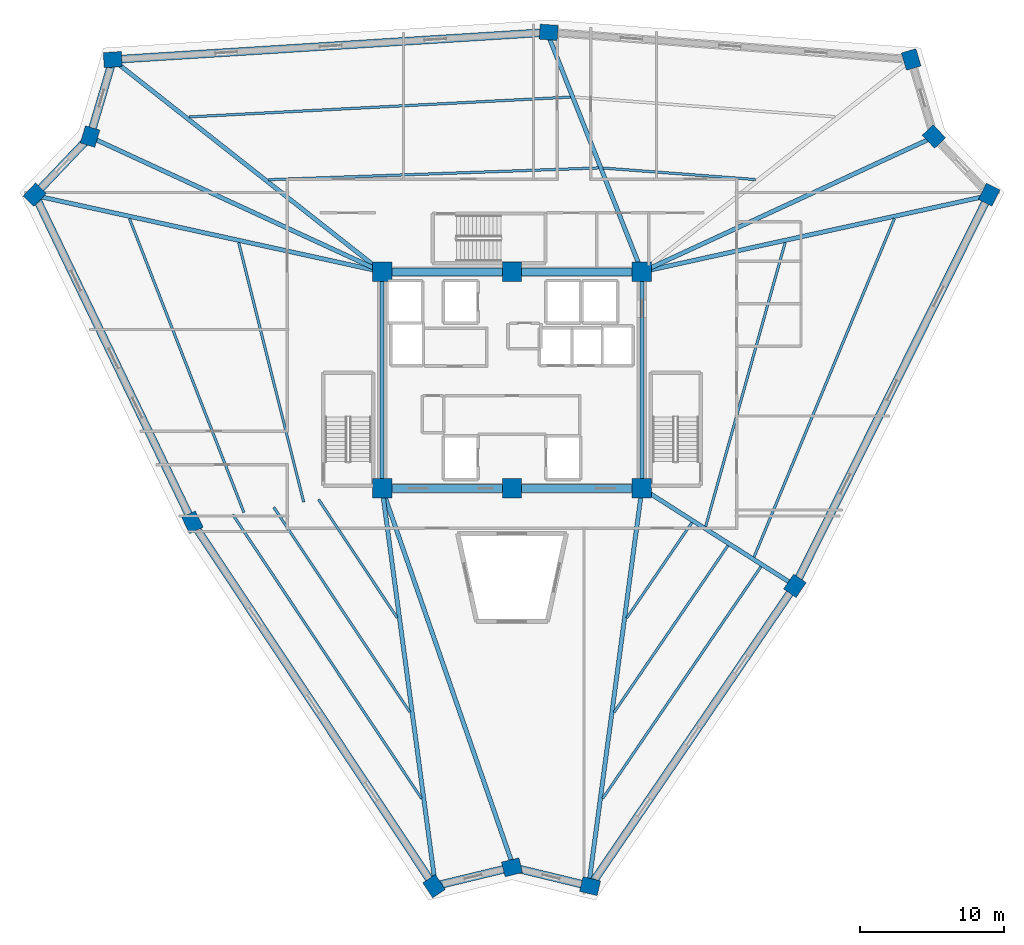
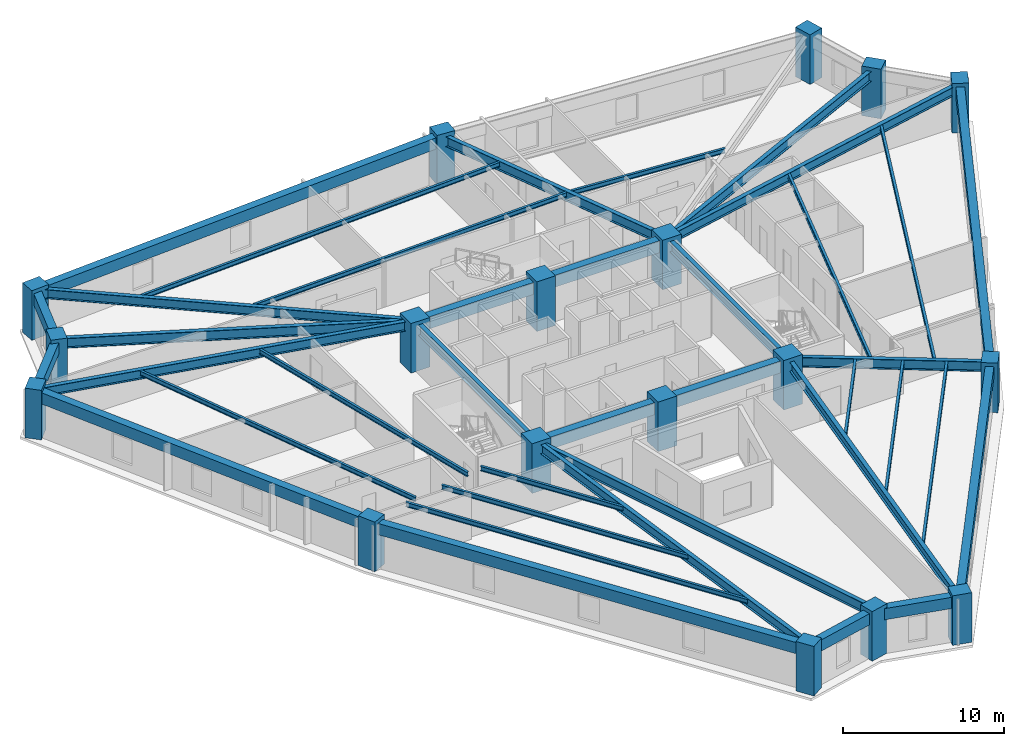
# One storey, part 1 of 9: 38 beams, 18 columns.
"""IFC4 building model written with IfcOpenShell, lengths in metres."""

from ifc_helpers import new_model, si_unit, direction, frame, origin, origin_2d, place, context, subcontext, project, spatial, rectangle, i_section, extrude, source, transform, mapped, material, material_profile, profile_set, type_object, element, save


model = new_model("IFC4")

# Units and contexts
model_context = context("Model", 3, precision=1e-05, world=origin(), true_north=direction((0.0, 1.0)))
body_context = subcontext(model_context, "Body", "Model", "MODEL_VIEW")
ifc_project = project(units=[si_unit("LENGTHUNIT", "METRE"), si_unit("AREAUNIT", "SQUARE_METRE"), si_unit("VOLUMEUNIT", "CUBIC_METRE"), si_unit("PLANEANGLEUNIT", "RADIAN"), si_unit("MASSUNIT", "GRAM", prefix="KILO")], contexts=[model_context])

# Site, building, storey
site_placement = place(None, origin())
site = spatial("IfcSite", under=ifc_project, at=site_placement, CompositionType="ELEMENT")
building_placement = place(site_placement, origin())
building = spatial("IfcBuilding", under=site, at=building_placement, Name="Liaohun Quay Tower", CompositionType="ELEMENT")
storey_placement = place(building_placement, frame((0.0, 0.0, 228.0)))
storey = spatial("IfcBuildingStorey", under=building, at=storey_placement, Name="L59", CompositionType="ELEMENT", Elevation=228.0)

# Columns
ifc_material_1 = material(Name="Concrete C55", Category="concrete")
ifc_material_profile_1 = material_profile(ifc_material_1, rectangle(XDim=1.35009765625, YDim=1.35009765625, at=origin_2d()), Name="RC1350x1350")
ifc_profile_set_1 = profile_set([ifc_material_profile_1], Name="Concrete C55")
column_type_1 = type_object("IfcColumnType", Name="COL-CC-Z3", PredefinedType="COLUMN", material=ifc_profile_set_1)
shared_shape_1 = source(origin(), body_context, "Body", "SweptSolid", [
    extrude(rectangle(XDim=1.35009765625, YDim=1.35009765625, at=origin_2d()), origin(), (0.0, 0.0, 1.0), 3.75),
])
for number, where, z_axis, x_axis, name in (
    (1, (51.0, 46.5, 0.0), (0.0, 0.0, 1.0), (1.0, 0.0, 0.0), "L59 Core Column CC1"),
    (2, (60.0, 46.5, 0.0), (0.0, 0.0, 1.0), (1.0, 0.0, 0.0), "L59 Core Column CC2"),
    (3, (69.0, 46.5, 0.0), (0.0, 0.0, 1.0), (1.0, 0.0, 0.0), "L59 Core Column CC3"),
    (4, (69.0, 61.5, 0.0), (0.0, 0.0, 1.0), (1.0, 0.0, 0.0), "L59 Core Column CC4"),
    (5, (60.0, 61.5, 0.0), (0.0, 0.0, 1.0), (1.0, 0.0, 0.0), "L59 Core Column CC5"),
    (6, (51.0, 61.5, 0.0), (0.0, 0.0, 1.0), (1.0, 0.0, 0.0), "L59 Core Column CC6"),
):
    element("IfcColumn", number, at=place(storey_placement, frame(where, z_axis=z_axis, x_axis=x_axis)), inside=storey, type_object=column_type_1, Name=name, PredefinedType="COLUMN", context=body_context, shape_type="MappedRepresentation", body=[
        mapped(shared_shape_1, transform((0.0, 0.0, 0.0), x_axis=(1.0, 0.0, 0.0), y_axis=(0.0, 1.0, 0.0), z_axis=(0.0, 0.0, 1.0), scale=1.0)),
    ])
ifc_material_profile_2 = material_profile(ifc_material_1, rectangle(XDim=1.25, YDim=1.050048828125, at=origin_2d()), Name="RC1250x1050")
ifc_profile_set_2 = profile_set([ifc_material_profile_2], Name="Concrete C55")
column_type_2 = type_object("IfcColumnType", Name="COL-PIER-Z3", PredefinedType="COLUMN", material=ifc_profile_set_2)
shared_shape_2 = source(origin(), body_context, "Body", "SweptSolid", [
    extrude(rectangle(XDim=1.25, YDim=1.050048828125, at=origin_2d()), origin(), (0.0, 0.0, 1.0), 3.75),
])
for number, where, z_axis, x_axis, name in (
    (7, (54.60009765625, 18.952880859375, 0.0), (0.0, 0.0, 1.0), (-0.553100771174, 0.833114360053, 0.0), "L59 Perimeter Pier PC01"),
    (8, (37.864990234375, 44.155029296875, 0.0), (0.0, 0.0, 1.0), (-0.43381634559, 0.90100131981, 0.0), "L59 Perimeter Pier PC02"),
    (9, (26.944091796875, 66.841064453125, 0.0), (0.0, 0.0, 1.0), (0.68936671806, 0.724412539946, 0.0), "L59 Perimeter Pier PC03"),
    (10, (30.778076171875, 70.87109375, 0.0), (0.0, 0.0, 1.0), (0.282676303383, 0.959215360337, 0.0), "L59 Perimeter Pier PC04"),
    (11, (32.34912109375, 76.199951171875, 0.0), (0.0, 0.0, 1.0), (0.998048585651, 0.062442138662, 0.0), "L59 Perimeter Pier PC05"),
    (12, (62.5419921875, 78.091064453125, 0.0), (0.0, 0.0, 1.0), (-0.997198204594, 0.074804684047, 0.0), "L59 Perimeter Pier PC06"),
    (13, (87.64892578125, 76.20703125, 0.0), (0.0, 0.0, 1.0), (-0.282676303383, 0.959215360337, 0.0), "L59 Perimeter Pier PC07"),
    (14, (89.221923828125, 70.87109375, 0.0), (0.0, 0.0, 1.0), (-0.68936671806, 0.724412539946, 0.0), "L59 Perimeter Pier PC08"),
    (15, (93.051025390625, 66.845947265625, 0.0), (0.0, 0.0, 1.0), (0.444947814477, 0.895556498716, 0.0), "L59 Perimeter Pier PC09"),
    (16, (79.593017578125, 39.75390625, 0.0), (0.0, 0.0, 1.0), (0.563381859003, 0.826196635763, 0.0), "L59 Perimeter Pier PC10"),
    (17, (65.407958984375, 18.950927734375, 0.0), (0.0, 0.0, 1.0), (-0.972043021443, 0.234802820391, 0.0), "L59 Perimeter Pier PC11"),
    (18, (60.0, 20.257080078125, 0.0), (0.0, 0.0, 1.0), (0.972043021443, 0.234802820391, 0.0), "L59 Perimeter Pier PC12"),
):
    element("IfcColumn", number, at=place(storey_placement, frame(where, z_axis=z_axis, x_axis=x_axis)), inside=storey, type_object=column_type_2, Name=name, PredefinedType="COLUMN", context=body_context, shape_type="MappedRepresentation", body=[
        mapped(shared_shape_2, transform((0.0, 0.0, 0.0), x_axis=(1.0, 0.0, 0.0), y_axis=(0.0, 1.0, 0.0), z_axis=(0.0, 0.0, 1.0), scale=1.0)),
    ])

# Beams
ifc_material_2 = material(Name="Steel Q355D", Category="steel")
ifc_material_profile_3 = material_profile(ifc_material_2, i_section(OverallWidth=0.300048828125, OverallDepth=0.800048828125, WebThickness=0.013916015625, FlangeThickness=0.02587890625, at=origin_2d()), Name="HN800x300x14x26")
ifc_profile_set_3 = profile_set([ifc_material_profile_3], Name="Steel Q355D")
beam_type_1 = type_object("IfcBeamType", Name="BM-RAD-M1", PredefinedType="BEAM", material=ifc_profile_set_3)
shared_shape_3 = source(origin(), body_context, "Body", "SweptSolid", [
    extrude(i_section(OverallWidth=0.300048828125, OverallDepth=0.800048828125, WebThickness=0.013916015625, FlangeThickness=0.02587890625, at=origin_2d()), origin(), (0.0, 0.0, 1.0), 15.0),
])
for number, where, z_axis, x_axis, name in (
    (19, (69.0, 46.5, 3.070068359375), (0.0, 1.0, 0.0), (-1.0, 0.0, 0.0), "L59 Core Coupling/Ring Beam CC3-CC4"),
    (20, (51.0, 61.5, 3.070068359375), (0.0, -1.0, 0.0), (1.0, 0.0, 0.0), "L59 Core Coupling/Ring Beam CC6-CC1"),
):
    element("IfcBeam", number, at=place(storey_placement, frame(where, z_axis=z_axis, x_axis=x_axis)), inside=storey, type_object=beam_type_1, Name=name, PredefinedType="BEAM", context=body_context, shape_type="MappedRepresentation", body=[
        mapped(shared_shape_3, transform((0.0, 0.0, 0.0), x_axis=(1.0, 0.0, 0.0), y_axis=(0.0, 1.0, 0.0), z_axis=(0.0, 0.0, 1.0), scale=1.0)),
    ])
ifc_material_profile_4 = material_profile(ifc_material_1, rectangle(XDim=0.550048828125, YDim=0.89990234375, at=origin_2d()), Name="RC550x900")
ifc_profile_set_4 = profile_set([ifc_material_profile_4], Name="Concrete C55")
beam_type_2 = type_object("IfcBeamType", Name="BM-CPL-2", PredefinedType="LINTEL", material=ifc_profile_set_4)
shared_shape_4 = source(origin(), body_context, "Body", "SweptSolid", [
    extrude(rectangle(XDim=0.550048828125, YDim=0.89990234375, at=origin_2d()), origin(), (0.0, 0.0, 1.0), 9.0),
])
for number, where, z_axis, x_axis, name in (
    (21, (51.0, 46.5, 3.02001953125), (1.0, 0.0, 0.0), (0.0, 1.0, 0.0), "L59 Core Coupling/Ring Beam CC1-CC2"),
    (22, (60.0, 46.5, 3.02001953125), (1.0, 0.0, 0.0), (0.0, 1.0, 0.0), "L59 Core Coupling/Ring Beam CC2-CC3"),
    (23, (69.0, 61.5, 3.02001953125), (-1.0, 0.0, 0.0), (0.0, -1.0, 0.0), "L59 Core Coupling/Ring Beam CC4-CC5"),
    (24, (60.0, 61.5, 3.02001953125), (-1.0, 0.0, 0.0), (0.0, -1.0, 0.0), "L59 Core Coupling/Ring Beam CC5-CC6"),
):
    element("IfcBeam", number, at=place(storey_placement, frame(where, z_axis=z_axis, x_axis=x_axis)), inside=storey, type_object=beam_type_2, Name=name, PredefinedType="LINTEL", context=body_context, shape_type="MappedRepresentation", body=[
        mapped(shared_shape_4, transform((0.0, 0.0, 0.0), x_axis=(1.0, 0.0, 0.0), y_axis=(0.0, 1.0, 0.0), z_axis=(0.0, 0.0, 1.0), scale=1.0)),
    ])
ifc_material_3 = material(Name="Precast concrete C50", Category="concrete")
ifc_material_profile_5 = material_profile(ifc_material_3, rectangle(XDim=0.550048828125, YDim=0.85009765625, at=origin_2d()), Name="RC550x850")
ifc_profile_set_5 = profile_set([ifc_material_profile_5], Name="Precast concrete C50")
beam_type_3 = type_object("IfcBeamType", Name="BM-SPD-Z3", PredefinedType="SPANDREL", material=ifc_profile_set_5)
shared_shape_5 = source(origin(), body_context, "Body", "SweptSolid", [
    extrude(rectangle(XDim=0.550048828125, YDim=0.85009765625, at=origin_2d()), origin(), (0.0, 0.0, 1.0), 30.25244140625),
])
beam_1_placement = place(storey_placement, frame((54.60009765625, 18.952880859375, 3.044921875), z_axis=(-0.553181472839, 0.833060776959, 0.0), x_axis=(-0.833060776959, -0.553181472839, 0.0)))
element("IfcBeam", 25, at=beam_1_placement, inside=storey, type_object=beam_type_3, Name="L59 Precast Spandrel Beam PC01-PC02", PredefinedType="SPANDREL", context=body_context, shape_type="MappedRepresentation", body=[
    mapped(shared_shape_5, transform((0.0, 0.0, 0.0), x_axis=(1.0, 0.0, 0.0), y_axis=(0.0, 1.0, 0.0), z_axis=(0.0, 0.0, 1.0), scale=1.0)),
])
shared_shape_6 = source(origin(), body_context, "Body", "SweptSolid", [
    extrude(rectangle(XDim=0.550048828125, YDim=0.85009765625, at=origin_2d()), origin(), (0.0, 0.0, 1.0), 25.177734375),
])
beam_2_placement = place(storey_placement, frame((37.864990234375, 44.155029296875, 3.044921875), z_axis=(-0.433750894083, 0.901032830635, 0.0), x_axis=(-0.901032830635, -0.433750894083, 0.0)))
element("IfcBeam", 26, at=beam_2_placement, inside=storey, type_object=beam_type_3, Name="L59 Precast Spandrel Beam PC02-PC03", PredefinedType="SPANDREL", context=body_context, shape_type="MappedRepresentation", body=[
    mapped(shared_shape_6, transform((0.0, 0.0, 0.0), x_axis=(1.0, 0.0, 0.0), y_axis=(0.0, 1.0, 0.0), z_axis=(0.0, 0.0, 1.0), scale=1.0)),
])
shared_shape_7 = source(origin(), body_context, "Body", "SweptSolid", [
    extrude(rectangle(XDim=0.550048828125, YDim=0.85009765625, at=origin_2d()), origin(), (0.0, 0.0, 1.0), 5.5625),
])
beam_3_placement = place(storey_placement, frame((26.944091796875, 66.841064453125, 3.044921875), z_axis=(0.689264906527, 0.724509412382, 0.0), x_axis=(-0.724509412382, 0.689264906527, 0.0)))
element("IfcBeam", 27, at=beam_3_placement, inside=storey, type_object=beam_type_3, Name="L59 Precast Spandrel Beam PC03-PC04", PredefinedType="SPANDREL", context=body_context, shape_type="MappedRepresentation", body=[
    mapped(shared_shape_7, transform((0.0, 0.0, 0.0), x_axis=(1.0, 0.0, 0.0), y_axis=(0.0, 1.0, 0.0), z_axis=(0.0, 0.0, 1.0), scale=1.0)),
])
shared_shape_8 = source(origin(), body_context, "Body", "SweptSolid", [
    extrude(rectangle(XDim=0.550048828125, YDim=0.85009765625, at=origin_2d()), origin(), (0.0, 0.0, 1.0), 5.5556640625),
])
beam_4_placement = place(storey_placement, frame((30.778076171875, 70.87109375, 3.044921875), z_axis=(0.282784851513, 0.959183365032, 0.0), x_axis=(-0.959183365032, 0.282784851513, 0.0)))
element("IfcBeam", 28, at=beam_4_placement, inside=storey, type_object=beam_type_3, Name="L59 Precast Spandrel Beam PC04-PC05", PredefinedType="SPANDREL", context=body_context, shape_type="MappedRepresentation", body=[
    mapped(shared_shape_8, transform((0.0, 0.0, 0.0), x_axis=(1.0, 0.0, 0.0), y_axis=(0.0, 1.0, 0.0), z_axis=(0.0, 0.0, 1.0), scale=1.0)),
])
shared_shape_9 = source(origin(), body_context, "Body", "SweptSolid", [
    extrude(rectangle(XDim=0.550048828125, YDim=0.85009765625, at=origin_2d()), origin(), (0.0, 0.0, 1.0), 30.251953125),
])
beam_5_placement = place(storey_placement, frame((32.34912109375, 76.199951171875, 3.044921875), z_axis=(0.998044216699, 0.062511930966, 0.0), x_axis=(-0.062511930966, 0.998044216699, 0.0)))
element("IfcBeam", 29, at=beam_5_placement, inside=storey, type_object=beam_type_3, Name="L59 Precast Spandrel Beam PC05-PC06", PredefinedType="SPANDREL", context=body_context, shape_type="MappedRepresentation", body=[
    mapped(shared_shape_9, transform((0.0, 0.0, 0.0), x_axis=(1.0, 0.0, 0.0), y_axis=(0.0, 1.0, 0.0), z_axis=(0.0, 0.0, 1.0), scale=1.0)),
])
shared_shape_10 = source(origin(), body_context, "Body", "SweptSolid", [
    extrude(rectangle(XDim=0.550048828125, YDim=0.85009765625, at=origin_2d()), origin(), (0.0, 0.0, 1.0), 30.25048828125),
])
beam_6_placement = place(storey_placement, frame((93.051025390625, 66.845947265625, 3.044921875), z_axis=(-0.444884516218, -0.895587945, 0.0), x_axis=(0.895587945, -0.444884516218, 0.0)))
element("IfcBeam", 30, at=beam_6_placement, inside=storey, type_object=beam_type_3, Name="L59 Precast Spandrel Beam PC09-PC10", PredefinedType="SPANDREL", context=body_context, shape_type="MappedRepresentation", body=[
    mapped(shared_shape_10, transform((0.0, 0.0, 0.0), x_axis=(1.0, 0.0, 0.0), y_axis=(0.0, 1.0, 0.0), z_axis=(0.0, 0.0, 1.0), scale=1.0)),
])
shared_shape_11 = source(origin(), body_context, "Body", "SweptSolid", [
    extrude(rectangle(XDim=0.550048828125, YDim=0.85009765625, at=origin_2d()), origin(), (0.0, 0.0, 1.0), 25.178955078125),
])
beam_7_placement = place(storey_placement, frame((79.593017578125, 39.75390625, 3.044921875), z_axis=(-0.56336961902, -0.82620498205, 0.0), x_axis=(0.82620498205, -0.56336961902, 0.0)))
element("IfcBeam", 31, at=beam_7_placement, inside=storey, type_object=beam_type_3, Name="L59 Precast Spandrel Beam PC10-PC11", PredefinedType="SPANDREL", context=body_context, shape_type="MappedRepresentation", body=[
    mapped(shared_shape_11, transform((0.0, 0.0, 0.0), x_axis=(1.0, 0.0, 0.0), y_axis=(0.0, 1.0, 0.0), z_axis=(0.0, 0.0, 1.0), scale=1.0)),
])
shared_shape_12 = source(origin(), body_context, "Body", "SweptSolid", [
    extrude(rectangle(XDim=0.550048828125, YDim=0.85009765625, at=origin_2d()), origin(), (0.0, 0.0, 1.0), 5.5634765625),
])
beam_8_placement = place(storey_placement, frame((65.407958984375, 18.950927734375, 3.044921875), z_axis=(-0.972050100862, 0.234773510885, 0.0), x_axis=(-0.234773510885, -0.972050100862, 0.0)))
element("IfcBeam", 32, at=beam_8_placement, inside=storey, type_object=beam_type_3, Name="L59 Precast Spandrel Beam PC11-PC12", PredefinedType="SPANDREL", context=body_context, shape_type="MappedRepresentation", body=[
    mapped(shared_shape_12, transform((0.0, 0.0, 0.0), x_axis=(1.0, 0.0, 0.0), y_axis=(0.0, 1.0, 0.0), z_axis=(0.0, 0.0, 1.0), scale=1.0)),
])
shared_shape_13 = source(origin(), body_context, "Body", "SweptSolid", [
    extrude(rectangle(XDim=0.550048828125, YDim=0.85009765625, at=origin_2d()), origin(), (0.0, 0.0, 1.0), 5.55517578125),
])
beam_9_placement = place(storey_placement, frame((60.0, 20.257080078125, 3.044921875), z_axis=(-0.972050398791, -0.234772277346, 0.0), x_axis=(0.234772277346, -0.972050398791, 0.0)))
element("IfcBeam", 33, at=beam_9_placement, inside=storey, type_object=beam_type_3, Name="L59 Precast Spandrel Beam PC12-PC01", PredefinedType="SPANDREL", context=body_context, shape_type="MappedRepresentation", body=[
    mapped(shared_shape_13, transform((0.0, 0.0, 0.0), x_axis=(1.0, 0.0, 0.0), y_axis=(0.0, 1.0, 0.0), z_axis=(0.0, 0.0, 1.0), scale=1.0)),
])
ifc_material_profile_6 = material_profile(ifc_material_2, i_section(OverallWidth=0.300048828125, OverallDepth=0.699951171875, WebThickness=0.012939453125, FlangeThickness=0.02392578125, at=origin_2d()), Name="HN700x300x13x24")
ifc_profile_set_6 = profile_set([ifc_material_profile_6], Name="Steel Q355D")
beam_type_4 = type_object("IfcBeamType", Name="BM-RAD-U1", PredefinedType="BEAM", material=ifc_profile_set_6)
shared_shape_14 = source(origin(), body_context, "Body", "SweptSolid", [
    extrude(i_section(OverallWidth=0.300048828125, OverallDepth=0.699951171875, WebThickness=0.012939453125, FlangeThickness=0.02392578125, at=origin_2d()), origin(), (0.0, 0.0, 1.0), 27.450439453125),
])
beam_10_placement = place(storey_placement, frame((51.0, 46.5, 3.1201171875), z_axis=(0.133114995778, -0.991100599283, 0.0), x_axis=(0.991100599283, 0.133114995778, 0.0)))
element("IfcBeam", 34, at=beam_10_placement, inside=storey, type_object=beam_type_4, Name="L59 Radial Primary Girder CC1-PC01", PredefinedType="BEAM", context=body_context, shape_type="MappedRepresentation", body=[
    mapped(shared_shape_14, transform((0.0, 0.0, 0.0), x_axis=(1.0, 0.0, 0.0), y_axis=(0.0, 1.0, 0.0), z_axis=(0.0, 0.0, 1.0), scale=1.0)),
])
shared_shape_15 = source(origin(), body_context, "Body", "SweptSolid", [
    extrude(i_section(OverallWidth=0.300048828125, OverallDepth=0.699951171875, WebThickness=0.012939453125, FlangeThickness=0.02392578125, at=origin_2d()), origin(), (0.0, 0.0, 1.0), 24.3017578125),
])
beam_11_placement = place(storey_placement, frame((51.0, 61.5, 3.1201171875), z_axis=(-0.976684883494, 0.214677987589, 0.0), x_axis=(-0.214677987589, -0.976684883494, 0.0)))
element("IfcBeam", 35, at=beam_11_placement, inside=storey, type_object=beam_type_4, Name="L59 Radial Primary Girder CC6-PC03", PredefinedType="BEAM", context=body_context, shape_type="MappedRepresentation", body=[
    mapped(shared_shape_15, transform((0.0, 0.0, 0.0), x_axis=(1.0, 0.0, 0.0), y_axis=(0.0, 1.0, 0.0), z_axis=(0.0, 0.0, 1.0), scale=1.0)),
])
ifc_material_profile_7 = material_profile(ifc_material_2, i_section(OverallWidth=0.300048828125, OverallDepth=0.75, WebThickness=0.013916015625, FlangeThickness=0.02587890625, at=origin_2d()), Name="HN750x300x14x26")
ifc_profile_set_7 = profile_set([ifc_material_profile_7], Name="Steel Q355D")
beam_type_5 = type_object("IfcBeamType", Name="BM-RAD-M2", PredefinedType="BEAM", material=ifc_profile_set_7)
shared_shape_16 = source(origin(), body_context, "Body", "SweptSolid", [
    extrude(i_section(OverallWidth=0.300048828125, OverallDepth=0.75, WebThickness=0.013916015625, FlangeThickness=0.02587890625, at=origin_2d()), origin(), (0.0, 0.0, 1.0), 21.961669921875),
])
for number, where, z_axis, x_axis, name in (
    (36, (51.0, 61.5, 3.094970703125), (-0.90785784325, 0.419278113487, 0.0), (-0.419278113487, -0.90785784325, 0.0), "L59 Radial Primary Girder CC6-PC04"),
    (37, (69.0, 61.5, 3.094970703125), (0.90785784325, 0.419278113487, 0.0), (-0.419278113487, 0.90785784325, 0.0), "L59 Radial Primary Girder CC4-PC08"),
):
    element("IfcBeam", number, at=place(storey_placement, frame(where, z_axis=z_axis, x_axis=x_axis)), inside=storey, type_object=beam_type_5, Name=name, PredefinedType="BEAM", context=body_context, shape_type="MappedRepresentation", body=[
        mapped(shared_shape_16, transform((0.0, 0.0, 0.0), x_axis=(1.0, 0.0, 0.0), y_axis=(0.0, 1.0, 0.0), z_axis=(0.0, 0.0, 1.0), scale=1.0)),
    ])
shared_shape_17 = source(origin(), body_context, "Body", "SweptSolid", [
    extrude(i_section(OverallWidth=0.300048828125, OverallDepth=0.699951171875, WebThickness=0.012939453125, FlangeThickness=0.02392578125, at=origin_2d()), origin(), (0.0, 0.0, 1.0), 23.403564453125),
])
beam_12_placement = place(storey_placement, frame((51.0, 61.5, 3.1201171875), z_axis=(-0.785522405074, 0.618833217537, 0.0), x_axis=(-0.618833217537, -0.785522405074, 0.0)))
element("IfcBeam", 38, at=beam_12_placement, inside=storey, type_object=beam_type_4, Name="L59 Radial Primary Girder CC6-PC05", PredefinedType="BEAM", context=body_context, shape_type="MappedRepresentation", body=[
    mapped(shared_shape_17, transform((0.0, 0.0, 0.0), x_axis=(1.0, 0.0, 0.0), y_axis=(0.0, 1.0, 0.0), z_axis=(0.0, 0.0, 1.0), scale=1.0)),
])
shared_shape_18 = source(origin(), body_context, "Body", "SweptSolid", [
    extrude(i_section(OverallWidth=0.300048828125, OverallDepth=0.75, WebThickness=0.013916015625, FlangeThickness=0.02587890625, at=origin_2d()), origin(), (0.0, 0.0, 1.0), 17.60546875),
])
beam_13_placement = place(storey_placement, frame((69.0, 61.5, 3.094970703125), z_axis=(-0.368175079122, 0.929756479468, 0.0), x_axis=(-0.929756479468, -0.368175079122, 0.0)))
element("IfcBeam", 39, at=beam_13_placement, inside=storey, type_object=beam_type_5, Name="L59 Radial Primary Girder CC4-PC06", PredefinedType="BEAM", context=body_context, shape_type="MappedRepresentation", body=[
    mapped(shared_shape_18, transform((0.0, 0.0, 0.0), x_axis=(1.0, 0.0, 0.0), y_axis=(0.0, 1.0, 0.0), z_axis=(0.0, 0.0, 1.0), scale=1.0)),
])
shared_shape_19 = source(origin(), body_context, "Body", "SweptSolid", [
    extrude(i_section(OverallWidth=0.300048828125, OverallDepth=0.699951171875, WebThickness=0.012939453125, FlangeThickness=0.02392578125, at=origin_2d()), origin(), (0.0, 0.0, 1.0), 24.297119140625),
])
beam_14_placement = place(storey_placement, frame((69.0, 61.5, 3.1201171875), z_axis=(0.976622701504, 0.214960691537, 0.0), x_axis=(-0.214960691537, 0.976622701504, 0.0)))
element("IfcBeam", 40, at=beam_14_placement, inside=storey, type_object=beam_type_4, Name="L59 Radial Primary Girder CC4-PC09", PredefinedType="BEAM", context=body_context, shape_type="MappedRepresentation", body=[
    mapped(shared_shape_19, transform((0.0, 0.0, 0.0), x_axis=(1.0, 0.0, 0.0), y_axis=(0.0, 1.0, 0.0), z_axis=(0.0, 0.0, 1.0), scale=1.0)),
])
shared_shape_20 = source(origin(), body_context, "Body", "SweptSolid", [
    extrude(i_section(OverallWidth=0.300048828125, OverallDepth=0.75, WebThickness=0.013916015625, FlangeThickness=0.02587890625, at=origin_2d()), origin(), (0.0, 0.0, 1.0), 12.3359375),
])
beam_15_placement = place(storey_placement, frame((69.0, 46.5, 3.094970703125), z_axis=(0.844119978492, -0.536154326581, 0.0), x_axis=(0.536154326581, 0.844119978492, 0.0)))
element("IfcBeam", 41, at=beam_15_placement, inside=storey, type_object=beam_type_5, Name="L59 Radial Primary Girder CC3-PC10", PredefinedType="BEAM", context=body_context, shape_type="MappedRepresentation", body=[
    mapped(shared_shape_20, transform((0.0, 0.0, 0.0), x_axis=(1.0, 0.0, 0.0), y_axis=(0.0, 1.0, 0.0), z_axis=(0.0, 0.0, 1.0), scale=1.0)),
])
shared_shape_21 = source(origin(), body_context, "Body", "SweptSolid", [
    extrude(i_section(OverallWidth=0.300048828125, OverallDepth=0.699951171875, WebThickness=0.012939453125, FlangeThickness=0.02392578125, at=origin_2d()), origin(), (0.0, 0.0, 1.0), 27.451171875),
])
beam_16_placement = place(storey_placement, frame((69.0, 46.5, 3.1201171875), z_axis=(-0.132817314138, -0.991140535477, 0.0), x_axis=(0.991140535477, -0.132817314138, 0.0)))
element("IfcBeam", 42, at=beam_16_placement, inside=storey, type_object=beam_type_4, Name="L59 Radial Primary Girder CC3-PC11", PredefinedType="BEAM", context=body_context, shape_type="MappedRepresentation", body=[
    mapped(shared_shape_21, transform((0.0, 0.0, 0.0), x_axis=(1.0, 0.0, 0.0), y_axis=(0.0, 1.0, 0.0), z_axis=(0.0, 0.0, 1.0), scale=1.0)),
])
shared_shape_22 = source(origin(), body_context, "Body", "SweptSolid", [
    extrude(i_section(OverallWidth=0.300048828125, OverallDepth=0.75, WebThickness=0.013916015625, FlangeThickness=0.02587890625, at=origin_2d()), origin(), (0.0, 0.0, 1.0), 27.433349609375),
])
beam_17_placement = place(storey_placement, frame((51.0, 46.5, 3.094970703125), z_axis=(0.328067722942, -0.944654206132, 0.0), x_axis=(0.944654206132, 0.328067722942, 0.0)))
element("IfcBeam", 43, at=beam_17_placement, inside=storey, type_object=beam_type_5, Name="L59 Radial Primary Girder CC1-PC12", PredefinedType="BEAM", context=body_context, shape_type="MappedRepresentation", body=[
    mapped(shared_shape_22, transform((0.0, 0.0, 0.0), x_axis=(1.0, 0.0, 0.0), y_axis=(0.0, 1.0, 0.0), z_axis=(0.0, 0.0, 1.0), scale=1.0)),
])
ifc_material_profile_8 = material_profile(ifc_material_2, i_section(OverallWidth=0.175048828125, OverallDepth=0.35009765625, WebThickness=0.007080078125, FlangeThickness=0.010986328125, at=origin_2d()), Name="HN350x175x7x11")
ifc_profile_set_8 = profile_set([ifc_material_profile_8], Name="Steel Q355D")
beam_type_6 = type_object("IfcBeamType", Name="BM-SEC-J3", PredefinedType="JOIST", material=ifc_profile_set_8)
shared_shape_23 = source(origin(), body_context, "Body", "SweptSolid", [
    extrude(i_section(OverallWidth=0.175048828125, OverallDepth=0.35009765625, WebThickness=0.007080078125, FlangeThickness=0.010986328125, at=origin_2d()), origin(), (0.0, 0.0, 1.0), 9.84375),
])
beam_18_placement = place(storey_placement, frame((52.052978515625, 37.534912109375, 3.294921875), z_axis=(-0.553549248488, 0.832816444061, 0.0), x_axis=(-0.832816444061, -0.553549248488, 0.0)))
element("IfcBeam", 44, at=beam_18_placement, inside=storey, type_object=beam_type_6, Name="L59 Wing Secondary Floor Joist SJ-01", PredefinedType="JOIST", context=body_context, shape_type="MappedRepresentation", body=[
    mapped(shared_shape_23, transform((0.0, 0.0, 0.0), x_axis=(1.0, 0.0, 0.0), y_axis=(0.0, 1.0, 0.0), z_axis=(0.0, 0.0, 1.0), scale=1.0)),
])
shared_shape_24 = source(origin(), body_context, "Body", "SweptSolid", [
    extrude(i_section(OverallWidth=0.175048828125, OverallDepth=0.35009765625, WebThickness=0.007080078125, FlangeThickness=0.010986328125, at=origin_2d()), origin(), (0.0, 0.0, 1.0), 17.033447265625),
])
beam_19_placement = place(storey_placement, frame((52.929931640625, 31.006103515625, 3.294921875), z_axis=(-0.553551931887, 0.832814660477, 0.0), x_axis=(-0.832814660477, -0.553551931887, 0.0)))
element("IfcBeam", 45, at=beam_19_placement, inside=storey, type_object=beam_type_6, Name="L59 Wing Secondary Floor Joist SJ-02", PredefinedType="JOIST", context=body_context, shape_type="MappedRepresentation", body=[
    mapped(shared_shape_24, transform((0.0, 0.0, 0.0), x_axis=(1.0, 0.0, 0.0), y_axis=(0.0, 1.0, 0.0), z_axis=(0.0, 0.0, 1.0), scale=1.0)),
])
shared_shape_25 = source(origin(), body_context, "Body", "SweptSolid", [
    extrude(i_section(OverallWidth=0.175048828125, OverallDepth=0.35009765625, WebThickness=0.007080078125, FlangeThickness=0.010986328125, at=origin_2d()), origin(), (0.0, 0.0, 1.0), 23.62451171875),
])
beam_20_placement = place(storey_placement, frame((53.73388671875, 25.02099609375, 3.294921875), z_axis=(-0.55353347095, 0.832826930724, 0.0), x_axis=(-0.832826930724, -0.55353347095, 0.0)))
element("IfcBeam", 46, at=beam_20_placement, inside=storey, type_object=beam_type_6, Name="L59 Wing Secondary Floor Joist SJ-03", PredefinedType="JOIST", context=body_context, shape_type="MappedRepresentation", body=[
    mapped(shared_shape_25, transform((0.0, 0.0, 0.0), x_axis=(1.0, 0.0, 0.0), y_axis=(0.0, 1.0, 0.0), z_axis=(0.0, 0.0, 1.0), scale=1.0)),
])
shared_shape_26 = source(origin(), body_context, "Body", "SweptSolid", [
    extrude(i_section(OverallWidth=0.175048828125, OverallDepth=0.35009765625, WebThickness=0.007080078125, FlangeThickness=0.010986328125, at=origin_2d()), origin(), (0.0, 0.0, 1.0), 18.5302734375),
])
beam_21_placement = place(storey_placement, frame((45.570068359375, 45.552978515625, 3.294921875), z_axis=(-0.242740223033, 0.970091327722, 0.0), x_axis=(-0.970091327722, -0.242740223033, 0.0)))
element("IfcBeam", 47, at=beam_21_placement, inside=storey, type_object=beam_type_6, Name="L59 Wing Secondary Floor Joist SJ-04", PredefinedType="JOIST", context=body_context, shape_type="MappedRepresentation", body=[
    mapped(shared_shape_26, transform((0.0, 0.0, 0.0), x_axis=(1.0, 0.0, 0.0), y_axis=(0.0, 1.0, 0.0), z_axis=(0.0, 0.0, 1.0), scale=1.0)),
])
shared_shape_27 = source(origin(), body_context, "Body", "SweptSolid", [
    extrude(i_section(OverallWidth=0.175048828125, OverallDepth=0.35009765625, WebThickness=0.007080078125, FlangeThickness=0.010986328125, at=origin_2d()), origin(), (0.0, 0.0, 1.0), 21.85205078125),
])
beam_22_placement = place(storey_placement, frame((41.43310546875, 44.8310546875, 3.294921875), z_axis=(-0.362946000906, 0.93181017403, 0.0), x_axis=(-0.93181017403, -0.362946000906, 0.0)))
element("IfcBeam", 48, at=beam_22_placement, inside=storey, type_object=beam_type_6, Name="L59 Wing Secondary Floor Joist SJ-05", PredefinedType="JOIST", context=body_context, shape_type="MappedRepresentation", body=[
    mapped(shared_shape_27, transform((0.0, 0.0, 0.0), x_axis=(1.0, 0.0, 0.0), y_axis=(0.0, 1.0, 0.0), z_axis=(0.0, 0.0, 1.0), scale=1.0)),
])
shared_shape_28 = source(origin(), body_context, "Body", "SweptSolid", [
    extrude(i_section(OverallWidth=0.175048828125, OverallDepth=0.35009765625, WebThickness=0.007080078125, FlangeThickness=0.010986328125, at=origin_2d()), origin(), (0.0, 0.0, 1.0), 22.860595703125),
])
beam_23_placement = place(storey_placement, frame((43.14306640625, 67.881103515625, 3.294921875), z_axis=(0.999362867952, 0.035691149585, 0.0), x_axis=(-0.035691149585, 0.999362867952, 0.0)))
element("IfcBeam", 49, at=beam_23_placement, inside=storey, type_object=beam_type_6, Name="L59 Wing Secondary Floor Joist SJ-06", PredefinedType="JOIST", context=body_context, shape_type="MappedRepresentation", body=[
    mapped(shared_shape_28, transform((0.0, 0.0, 0.0), x_axis=(1.0, 0.0, 0.0), y_axis=(0.0, 1.0, 0.0), z_axis=(0.0, 0.0, 1.0), scale=1.0)),
])
shared_shape_29 = source(origin(), body_context, "Body", "SweptSolid", [
    extrude(i_section(OverallWidth=0.175048828125, OverallDepth=0.35009765625, WebThickness=0.007080078125, FlangeThickness=0.010986328125, at=origin_2d()), origin(), (0.0, 0.0, 1.0), 26.457763671875),
])
beam_24_placement = place(storey_placement, frame((37.623046875, 72.22900390625, 3.294921875), z_axis=(0.998646735962, 0.052006699104, 0.0), x_axis=(-0.052006699104, 0.998646735962, 0.0)))
element("IfcBeam", 50, at=beam_24_placement, inside=storey, type_object=beam_type_6, Name="L59 Wing Secondary Floor Joist SJ-07", PredefinedType="JOIST", context=body_context, shape_type="MappedRepresentation", body=[
    mapped(shared_shape_29, transform((0.0, 0.0, 0.0), x_axis=(1.0, 0.0, 0.0), y_axis=(0.0, 1.0, 0.0), z_axis=(0.0, 0.0, 1.0), scale=1.0)),
])
shared_shape_30 = source(origin(), body_context, "Body", "SweptSolid", [
    extrude(i_section(OverallWidth=0.175048828125, OverallDepth=0.35009765625, WebThickness=0.007080078125, FlangeThickness=0.010986328125, at=origin_2d()), origin(), (0.0, 0.0, 1.0), 10.5830078125),
])
beam_25_placement = place(storey_placement, frame((66.31396484375, 68.68994140625, 3.294921875), z_axis=(0.997161114586, -0.075297487056, 0.0), x_axis=(0.075297487056, 0.997161114586, 0.0)))
element("IfcBeam", 51, at=beam_25_placement, inside=storey, type_object=beam_type_6, Name="L59 Wing Secondary Floor Joist SJ-08", PredefinedType="JOIST", context=body_context, shape_type="MappedRepresentation", body=[
    mapped(shared_shape_30, transform((0.0, 0.0, 0.0), x_axis=(1.0, 0.0, 0.0), y_axis=(0.0, 1.0, 0.0), z_axis=(0.0, 0.0, 1.0), scale=1.0)),
])
shared_shape_31 = source(origin(), body_context, "Body", "SweptSolid", [
    extrude(i_section(OverallWidth=0.175048828125, OverallDepth=0.35009765625, WebThickness=0.007080078125, FlangeThickness=0.010986328125, at=origin_2d()), origin(), (0.0, 0.0, 1.0), 20.4130859375),
])
beam_26_placement = place(storey_placement, frame((78.919921875, 63.530029296875, 3.294921875), z_axis=(-0.269627707406, -0.962964640783, 0.0), x_axis=(0.962964640783, -0.269627707406, 0.0)))
element("IfcBeam", 52, at=beam_26_placement, inside=storey, type_object=beam_type_6, Name="L59 Wing Secondary Floor Joist SJ-10", PredefinedType="JOIST", context=body_context, shape_type="MappedRepresentation", body=[
    mapped(shared_shape_31, transform((0.0, 0.0, 0.0), x_axis=(1.0, 0.0, 0.0), y_axis=(0.0, 1.0, 0.0), z_axis=(0.0, 0.0, 1.0), scale=1.0)),
])
shared_shape_32 = source(origin(), body_context, "Body", "SweptSolid", [
    extrude(i_section(OverallWidth=0.175048828125, OverallDepth=0.35009765625, WebThickness=0.007080078125, FlangeThickness=0.010986328125, at=origin_2d()), origin(), (0.0, 0.0, 1.0), 25.386474609375),
])
beam_27_placement = place(storey_placement, frame((86.489013671875, 65.196044921875, 3.294921875), z_axis=(-0.383080470507, -0.923714973959, 0.0), x_axis=(0.923714973959, -0.383080470507, 0.0)))
element("IfcBeam", 53, at=beam_27_placement, inside=storey, type_object=beam_type_6, Name="L59 Wing Secondary Floor Joist SJ-11", PredefinedType="JOIST", context=body_context, shape_type="MappedRepresentation", body=[
    mapped(shared_shape_32, transform((0.0, 0.0, 0.0), x_axis=(1.0, 0.0, 0.0), y_axis=(0.0, 1.0, 0.0), z_axis=(0.0, 0.0, 1.0), scale=1.0)),
])
shared_shape_33 = source(origin(), body_context, "Body", "SweptSolid", [
    extrude(i_section(OverallWidth=0.175048828125, OverallDepth=0.35009765625, WebThickness=0.007080078125, FlangeThickness=0.010986328125, at=origin_2d()), origin(), (0.0, 0.0, 1.0), 7.993896484375),
])
beam_28_placement = place(storey_placement, frame((72.4560546875, 44.126953125, 3.294921875), z_axis=(-0.563821941314, -0.825896372733, 0.0), x_axis=(0.825896372733, -0.563821941314, 0.0)))
element("IfcBeam", 54, at=beam_28_placement, inside=storey, type_object=beam_type_6, Name="L59 Wing Secondary Floor Joist SJ-12", PredefinedType="JOIST", context=body_context, shape_type="MappedRepresentation", body=[
    mapped(shared_shape_33, transform((0.0, 0.0, 0.0), x_axis=(1.0, 0.0, 0.0), y_axis=(0.0, 1.0, 0.0), z_axis=(0.0, 0.0, 1.0), scale=1.0)),
])
shared_shape_34 = source(origin(), body_context, "Body", "SweptSolid", [
    extrude(i_section(OverallWidth=0.175048828125, OverallDepth=0.35009765625, WebThickness=0.007080078125, FlangeThickness=0.010986328125, at=origin_2d()), origin(), (0.0, 0.0, 1.0), 13.978515625),
])
beam_29_placement = place(storey_placement, frame((74.955078125, 42.5400390625, 3.294921875), z_axis=(-0.563803893683, -0.825908693178, 0.0), x_axis=(0.825908693178, -0.563803893683, 0.0)))
element("IfcBeam", 55, at=beam_29_placement, inside=storey, type_object=beam_type_6, Name="L59 Wing Secondary Floor Joist SJ-13", PredefinedType="JOIST", context=body_context, shape_type="MappedRepresentation", body=[
    mapped(shared_shape_34, transform((0.0, 0.0, 0.0), x_axis=(1.0, 0.0, 0.0), y_axis=(0.0, 1.0, 0.0), z_axis=(0.0, 0.0, 1.0), scale=1.0)),
])
shared_shape_35 = source(origin(), body_context, "Body", "SweptSolid", [
    extrude(i_section(OverallWidth=0.175048828125, OverallDepth=0.35009765625, WebThickness=0.007080078125, FlangeThickness=0.010986328125, at=origin_2d()), origin(), (0.0, 0.0, 1.0), 19.464599609375),
])
beam_30_placement = place(storey_placement, frame((77.24609375, 41.0849609375, 3.294921875), z_axis=(-0.563801829816, -0.825910102067, 0.0), x_axis=(0.825910102067, -0.563801829816, 0.0)))
element("IfcBeam", 56, at=beam_30_placement, inside=storey, type_object=beam_type_6, Name="L59 Wing Secondary Floor Joist SJ-14", PredefinedType="JOIST", context=body_context, shape_type="MappedRepresentation", body=[
    mapped(shared_shape_35, transform((0.0, 0.0, 0.0), x_axis=(1.0, 0.0, 0.0), y_axis=(0.0, 1.0, 0.0), z_axis=(0.0, 0.0, 1.0), scale=1.0)),
])

save(model, "model.ifc")
